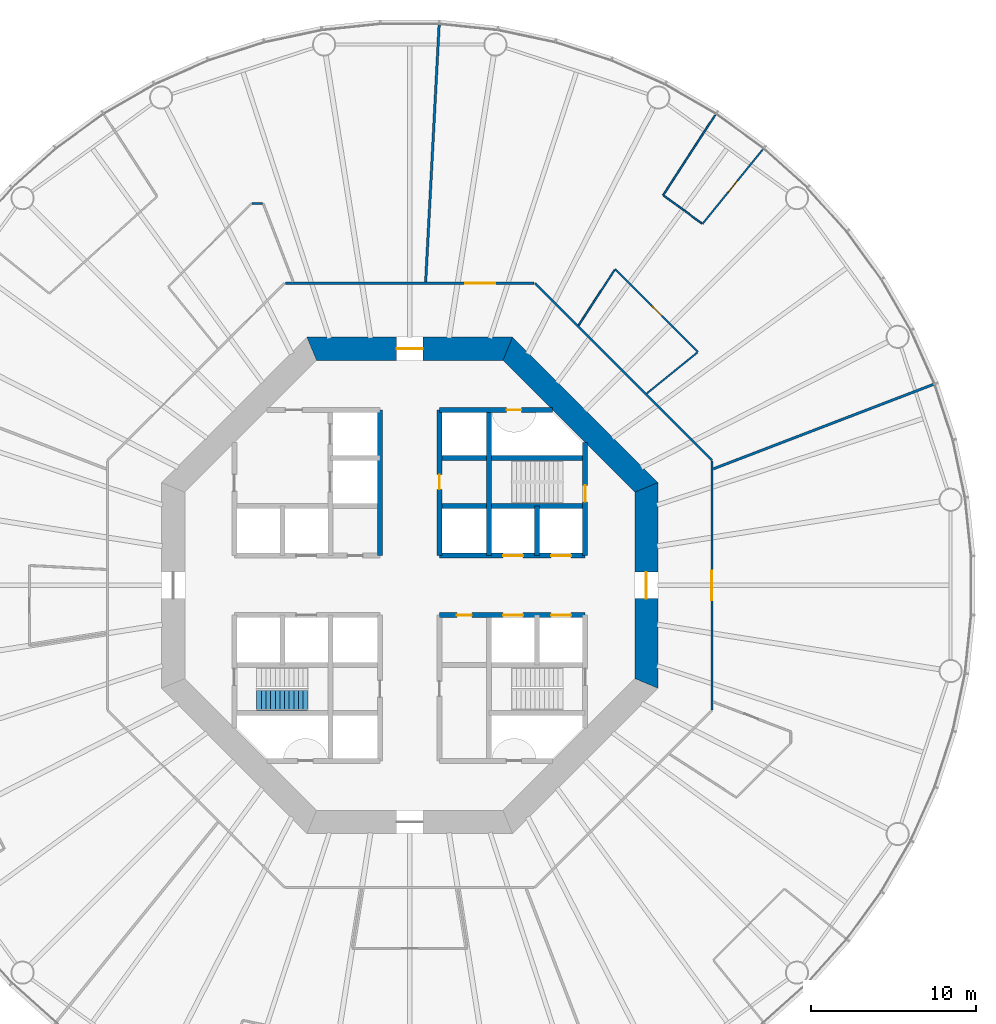
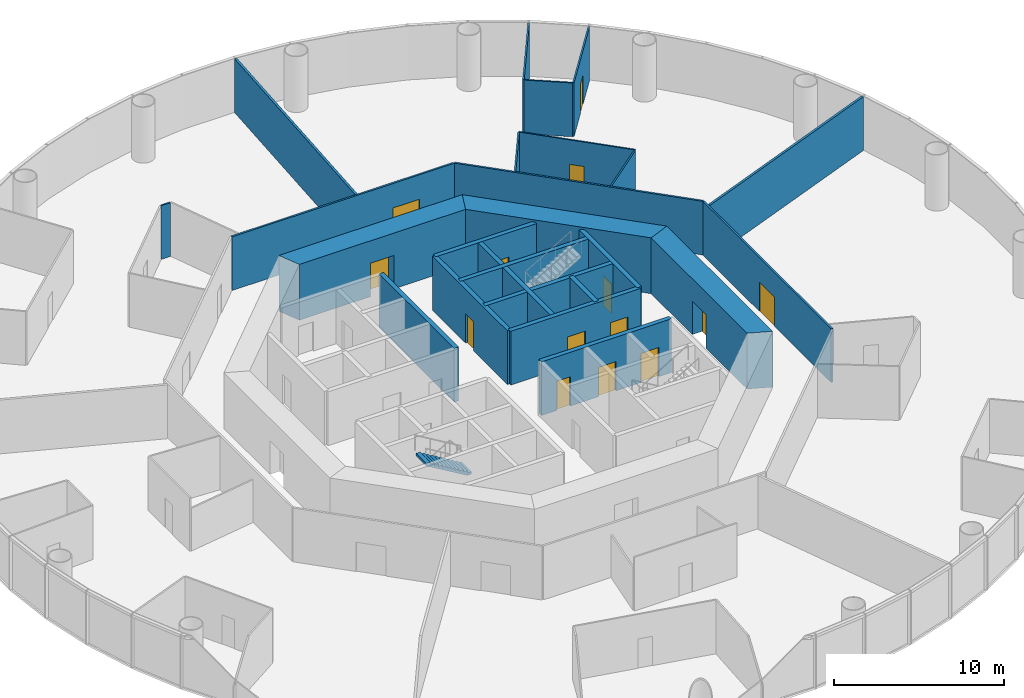
# One storey, part 5 of 13: 25 walls, 14 doors, 1 stair flight, 14 openings, 1 element without a shape of its own.
"""IFC4 building model written with IfcOpenShell, lengths in metres."""

from ifc_helpers import new_model, si_unit, direction, frame, frame_2d, origin, place, context, subcontext, project, spatial, polyline, rectangle, outline, extrude, material, layer, layer_set, type_object, element, fill, aggregate, save


model = new_model("IFC4")

# Units and contexts
model_context = context("Model", 3, precision=1e-05, world=origin(), true_north=direction((0.0, 1.0)))
body_context = subcontext(model_context, "Body", "Model", "MODEL_VIEW")
ifc_project = project(units=[si_unit("LENGTHUNIT", "METRE"), si_unit("AREAUNIT", "SQUARE_METRE"), si_unit("VOLUMEUNIT", "CUBIC_METRE"), si_unit("PLANEANGLEUNIT", "RADIAN"), si_unit("MASSUNIT", "GRAM", prefix="KILO")], contexts=[model_context])

# Site, building, storey
site_placement = place(None, origin())
site = spatial("IfcSite", under=ifc_project, at=site_placement, CompositionType="ELEMENT")
building_placement = place(site_placement, origin())
building = spatial("IfcBuilding", under=site, at=building_placement, Name="Entoto Ring Tower", CompositionType="ELEMENT")
storey_placement = place(building_placement, frame((0.0, 0.0, 58.0)))
storey = spatial("IfcBuildingStorey", under=building, at=storey_placement, Name="L12", CompositionType="ELEMENT", Elevation=58.0)

# Wall, opening, door
ifc_material_1 = material(Name="Concrete C40/50", Category="concrete")
ifc_layer_1 = layer(ifc_material_1, 0.300048828125)
ifc_layer_set_1 = layer_set([ifc_layer_1], Name="Concrete C40/50")
wall_type_1 = type_object("IfcWallType", Name="Core enclosure wall 300 mm reinforced concrete", PredefinedType="SOLIDWALL", material=ifc_layer_set_1)
wall_1_placement = place(storey_placement, frame((100.60009765625, 81.800048828125, 0.0), z_axis=(0.0, 0.0, 1.0), x_axis=(0.0, 1.0, 0.0)))
wall_1 = element("IfcWall", 1, at=wall_1_placement, inside=storey, type_object=wall_type_1, Name="wall-L12-002", PredefinedType="SOLIDWALL", context=body_context, shape_type="SweptSolid", body=[
    extrude(rectangle(XDim=6.833251953125, YDim=0.300048828125, at=frame_2d((3.41650390625, 0.0))), origin(), (0.0, 0.0, 1.0), 3.85009765625),
])
opening_1_placement = place(wall_1_placement, frame((3.25, 0.0, 0.0)))
opening_1 = element("IfcOpeningElement", 2, at=opening_1_placement, cuts=wall_1, Name="Opening K-55", PredefinedType="OPENING", context=body_context, shape_type="SweptSolid", body=[
    extrude(rectangle(XDim=1.0, YDim=2.10009765625, at=frame_2d((0.5, 1.050048828125))), frame((0.0, 0.16015625, 0.0), z_axis=(0.0, -1.0, 0.0), x_axis=(1.0, 0.0, 0.0)), (0.0, 0.0, 1.0), 0.320068359375),
])
ifc_material_2 = material(Name="Steel door leaf, fire rated", Category="steel")
ifc_layer_2 = layer(ifc_material_2, 0.050048828125)
ifc_layer_set_2 = layer_set([ifc_layer_2], Name="Steel door leaf, fire rated")
door_type_1 = type_object("IfcDoorType", Name="Fire door FD60 1000 x 2100 single leaf", OperationType="NOTDEFINED", PredefinedType="DOOR", material=ifc_layer_set_2)
door_1_placement = place(opening_1_placement, origin())
door_1 = element("IfcDoor", 3, at=door_1_placement, inside=storey, type_object=door_type_1, Name="Door K-55", OperationType="SINGLE_SWING_LEFT", OverallHeight=2.10009765625, OverallWidth=1.0, PredefinedType="DOOR", context=body_context, shape_type="SweptSolid", body=[
    extrude(rectangle(XDim=1.0, YDim=2.10009765625, at=frame_2d((0.5, 1.050048828125))), frame((0.0, 0.02490234375, 0.0), z_axis=(0.0, -1.0, 0.0), x_axis=(1.0, 0.0, 0.0)), (0.0, 0.0, 1.0), 0.050048828125),
])
fill(opening_1, door_1)

# Walls
wall_2_placement = place(storey_placement, frame((97.699951171875, 81.800048828125, 0.0), z_axis=(0.0, 0.0, 1.0), x_axis=(0.0, 1.0, 0.0)))
element("IfcWall", 4, at=wall_2_placement, inside=storey, type_object=wall_type_1, Name="wall-L12-004", PredefinedType="SOLIDWALL", context=body_context, shape_type="SweptSolid", body=[
    extrude(rectangle(XDim=3.0, YDim=0.300048828125, at=frame_2d((1.5, 0.0))), origin(), (0.0, 0.0, 1.0), 3.85009765625),
])
wall_3_placement = place(storey_placement, frame((94.800048828125, 81.800048828125, 0.0), z_axis=(0.0, 0.0, 1.0), x_axis=(0.0, 1.0, 0.0)))
element("IfcWall", 5, at=wall_3_placement, inside=storey, type_object=wall_type_1, Name="wall-L12-006", PredefinedType="SOLIDWALL", context=body_context, shape_type="SweptSolid", body=[
    extrude(rectangle(XDim=8.800048828125, YDim=0.300048828125, at=frame_2d((4.39990234375, 0.0))), origin(), (0.0, 0.0, 1.0), 3.85009765625),
])

# Wall, opening, door
wall_4_placement = place(storey_placement, frame((91.800048828125, 81.800048828125, 0.0), z_axis=(0.0, 0.0, 1.0), x_axis=(0.0, 1.0, 0.0)))
wall_4 = element("IfcWall", 6, at=wall_4_placement, inside=storey, type_object=wall_type_1, Name="wall-L12-008", PredefinedType="SOLIDWALL", context=body_context, shape_type="SweptSolid", body=[
    extrude(rectangle(XDim=8.800048828125, YDim=0.300048828125, at=frame_2d((4.39990234375, 0.0))), origin(), (0.0, 0.0, 1.0), 3.85009765625),
])
opening_2_placement = place(wall_4_placement, frame((4.0, 0.0, 0.0)))
opening_2 = element("IfcOpeningElement", 7, at=opening_2_placement, cuts=wall_4, Name="Opening K-11", PredefinedType="OPENING", context=body_context, shape_type="SweptSolid", body=[
    extrude(rectangle(XDim=0.89990234375, YDim=2.10009765625, at=frame_2d((0.449951171875, 1.050048828125))), frame((0.0, 0.16015625, 0.0), z_axis=(0.0, -1.0, 0.0), x_axis=(1.0, 0.0, 0.0)), (0.0, 0.0, 1.0), 0.320068359375),
])
ifc_material_3 = material(Name="Steel door leaf, fire rated", Category="steel")
ifc_layer_3 = layer(ifc_material_3, 0.050048828125)
ifc_layer_set_3 = layer_set([ifc_layer_3], Name="Steel door leaf, fire rated")
door_type_2 = type_object("IfcDoorType", Name="Core door 900 x 2100 single leaf", OperationType="NOTDEFINED", PredefinedType="DOOR", material=ifc_layer_set_3)
door_2_placement = place(opening_2_placement, origin())
door_2 = element("IfcDoor", 8, at=door_2_placement, inside=storey, type_object=door_type_2, Name="Door K-11", OperationType="SINGLE_SWING_RIGHT", OverallHeight=2.10009765625, OverallWidth=0.89990234375, PredefinedType="DOOR", context=body_context, shape_type="SweptSolid", body=[
    extrude(rectangle(XDim=0.89990234375, YDim=2.10009765625, at=frame_2d((0.449951171875, 1.050048828125))), frame((0.0, 0.02490234375, 0.0), z_axis=(0.0, -1.0, 0.0), x_axis=(1.0, 0.0, 0.0)), (0.0, 0.0, 1.0), 0.050048828125),
])
fill(opening_2, door_2)

# Wall
wall_5_placement = place(storey_placement, frame((88.199951171875, 81.800048828125, 0.0), z_axis=(0.0, 0.0, 1.0), x_axis=(0.0, 1.0, 0.0)))
element("IfcWall", 9, at=wall_5_placement, inside=storey, type_object=wall_type_1, Name="wall-L12-010", PredefinedType="SOLIDWALL", context=body_context, shape_type="SweptSolid", body=[
    extrude(rectangle(XDim=8.800048828125, YDim=0.300048828125, at=frame_2d((4.39990234375, 0.0))), origin(), (0.0, 0.0, 1.0), 3.85009765625),
])

# Wall, openings, doors
wall_6_placement = place(storey_placement, frame((91.800048828125, 78.199951171875, 0.0), z_axis=(0.0, 0.0, 1.0), x_axis=(1.0, 0.0, 0.0)))
wall_6 = element("IfcWall", 10, at=wall_6_placement, inside=storey, type_object=wall_type_1, Name="wall-L12-024", PredefinedType="SOLIDWALL", context=body_context, shape_type="SweptSolid", body=[
    extrude(rectangle(XDim=8.800048828125, YDim=0.300048828125, at=frame_2d((4.39990234375, 0.0))), origin(), (0.0, 0.0, 1.0), 3.85009765625),
])
opening_3_placement = place(wall_6_placement, frame((3.85009765625, 0.0, 0.0)))
opening_3 = element("IfcOpeningElement", 11, at=opening_3_placement, cuts=wall_6, Name="Opening LD", PredefinedType="OPENING", context=body_context, shape_type="SweptSolid", body=[
    extrude(rectangle(XDim=1.199951171875, YDim=2.10009765625, at=frame_2d((0.60009765625, 1.050048828125))), frame((0.0, 0.16015625, 0.0), z_axis=(0.0, -1.0, 0.0), x_axis=(1.0, 0.0, 0.0)), (0.0, 0.0, 1.0), 0.320068359375),
])
opening_4_placement = place(wall_6_placement, frame((6.75, 0.0, 0.0)))
opening_4 = element("IfcOpeningElement", 12, at=opening_4_placement, cuts=wall_6, Name="Opening LD", PredefinedType="OPENING", context=body_context, shape_type="SweptSolid", body=[
    extrude(rectangle(XDim=1.199951171875, YDim=2.10009765625, at=frame_2d((0.60009765625, 1.050048828125))), frame((0.0, 0.16015625, 0.0), z_axis=(0.0, -1.0, 0.0), x_axis=(1.0, 0.0, 0.0)), (0.0, 0.0, 1.0), 0.320068359375),
])
opening_5_placement = place(wall_6_placement, frame((1.050048828125, 0.0, 0.0)))
opening_5 = element("IfcOpeningElement", 13, at=opening_5_placement, cuts=wall_6, Name="Opening K-15", PredefinedType="OPENING", context=body_context, shape_type="SweptSolid", body=[
    extrude(rectangle(XDim=0.89990234375, YDim=2.10009765625, at=frame_2d((0.449951171875, 1.050048828125))), frame((0.0, 0.16015625, 0.0), z_axis=(0.0, -1.0, 0.0), x_axis=(1.0, 0.0, 0.0)), (0.0, 0.0, 1.0), 0.320068359375),
])
door_3_placement = place(opening_5_placement, frame((0.89990234375, 0.0, 0.0), z_axis=(0.0, 0.0, 1.0), x_axis=(-1.0, 0.0, 0.0)))
door_3 = element("IfcDoor", 14, at=door_3_placement, inside=storey, type_object=door_type_2, Name="Door K-15", OperationType="SINGLE_SWING_RIGHT", OverallHeight=2.10009765625, OverallWidth=0.89990234375, PredefinedType="DOOR", context=body_context, shape_type="SweptSolid", body=[
    extrude(rectangle(XDim=0.89990234375, YDim=2.10009765625, at=frame_2d((0.449951171875, 1.050048828125))), frame((0.0, 0.02490234375, 0.0), z_axis=(0.0, -1.0, 0.0), x_axis=(1.0, 0.0, 0.0)), (0.0, 0.0, 1.0), 0.050048828125),
])
fill(opening_5, door_3)
ifc_material_4 = material(Name="Steel and glass door leaf", Category="steel")
ifc_layer_4 = layer(ifc_material_4, 0.050048828125)
ifc_layer_set_4 = layer_set([ifc_layer_4], Name="Steel and glass door leaf")
door_type_3 = type_object("IfcDoorType", Name="Landing door 1200 x 2100 sliding", OperationType="DOUBLE_DOOR_SLIDING", PredefinedType="DOOR", material=ifc_layer_set_4)
door_4_placement = place(opening_3_placement, origin())
door_4 = element("IfcDoor", 15, at=door_4_placement, inside=storey, type_object=door_type_3, Name="Landing door LB4-LR", OperationType="SLIDING_TO_RIGHT", OverallHeight=2.10009765625, OverallWidth=1.199951171875, PredefinedType="DOOR", context=body_context, shape_type="SweptSolid", body=[
    extrude(rectangle(XDim=1.199951171875, YDim=2.10009765625, at=frame_2d((0.60009765625, 1.050048828125))), frame((0.0, 0.02490234375, 0.0), z_axis=(0.0, -1.0, 0.0), x_axis=(1.0, 0.0, 0.0)), (0.0, 0.0, 1.0), 0.050048828125),
])
fill(opening_3, door_4)
door_5_placement = place(opening_4_placement, origin())
door_5 = element("IfcDoor", 16, at=door_5_placement, inside=storey, type_object=door_type_3, Name="Landing door LB5-LR", OperationType="SLIDING_TO_RIGHT", OverallHeight=2.10009765625, OverallWidth=1.199951171875, PredefinedType="DOOR", context=body_context, shape_type="SweptSolid", body=[
    extrude(rectangle(XDim=1.199951171875, YDim=2.10009765625, at=frame_2d((0.60009765625, 1.050048828125))), frame((0.0, 0.02490234375, 0.0), z_axis=(0.0, -1.0, 0.0), x_axis=(1.0, 0.0, 0.0)), (0.0, 0.0, 1.0), 0.050048828125),
])
fill(opening_4, door_5)

wall_7_placement = place(storey_placement, frame((91.800048828125, 81.800048828125, 0.0), z_axis=(0.0, 0.0, 1.0), x_axis=(1.0, 0.0, 0.0)))
wall_7 = element("IfcWall", 17, at=wall_7_placement, inside=storey, type_object=wall_type_1, Name="wall-L12-026", PredefinedType="SOLIDWALL", context=body_context, shape_type="SweptSolid", body=[
    extrude(rectangle(XDim=8.800048828125, YDim=0.300048828125, at=frame_2d((4.39990234375, 0.0))), origin(), (0.0, 0.0, 1.0), 3.85009765625),
])
opening_6_placement = place(wall_7_placement, frame((3.85009765625, 0.0, 0.0)))
opening_6 = element("IfcOpeningElement", 18, at=opening_6_placement, cuts=wall_7, Name="Opening LD", PredefinedType="OPENING", context=body_context, shape_type="SweptSolid", body=[
    extrude(rectangle(XDim=1.199951171875, YDim=2.10009765625, at=frame_2d((0.60009765625, 1.050048828125))), frame((0.0, 0.16015625, 0.0), z_axis=(0.0, -1.0, 0.0), x_axis=(1.0, 0.0, 0.0)), (0.0, 0.0, 1.0), 0.320068359375),
])
opening_7_placement = place(wall_7_placement, frame((6.75, 0.0, 0.0)))
opening_7 = element("IfcOpeningElement", 19, at=opening_7_placement, cuts=wall_7, Name="Opening LD", PredefinedType="OPENING", context=body_context, shape_type="SweptSolid", body=[
    extrude(rectangle(XDim=1.199951171875, YDim=2.10009765625, at=frame_2d((0.60009765625, 1.050048828125))), frame((0.0, 0.16015625, 0.0), z_axis=(0.0, -1.0, 0.0), x_axis=(1.0, 0.0, 0.0)), (0.0, 0.0, 1.0), 0.320068359375),
])
door_6_placement = place(opening_6_placement, origin())
door_6 = element("IfcDoor", 20, at=door_6_placement, inside=storey, type_object=door_type_3, Name="Landing door LB1-LR", OperationType="SLIDING_TO_RIGHT", OverallHeight=2.10009765625, OverallWidth=1.199951171875, PredefinedType="DOOR", context=body_context, shape_type="SweptSolid", body=[
    extrude(rectangle(XDim=1.199951171875, YDim=2.10009765625, at=frame_2d((0.60009765625, 1.050048828125))), frame((0.0, 0.02490234375, 0.0), z_axis=(0.0, -1.0, 0.0), x_axis=(1.0, 0.0, 0.0)), (0.0, 0.0, 1.0), 0.050048828125),
])
fill(opening_6, door_6)
door_7_placement = place(opening_7_placement, origin())
door_7 = element("IfcDoor", 21, at=door_7_placement, inside=storey, type_object=door_type_3, Name="Landing door LB2-LR", OperationType="SLIDING_TO_RIGHT", OverallHeight=2.10009765625, OverallWidth=1.199951171875, PredefinedType="DOOR", context=body_context, shape_type="SweptSolid", body=[
    extrude(rectangle(XDim=1.199951171875, YDim=2.10009765625, at=frame_2d((0.60009765625, 1.050048828125))), frame((0.0, 0.02490234375, 0.0), z_axis=(0.0, -1.0, 0.0), x_axis=(1.0, 0.0, 0.0)), (0.0, 0.0, 1.0), 0.050048828125),
])
fill(opening_7, door_7)

# Walls
for number, where, z_axis, x_axis, name in (
    (22, (91.800048828125, 84.800048828125, 0.0), (0.0, 0.0, 1.0), (1.0, 0.0, 0.0), "wall-L12-028"),
    (23, (91.800048828125, 87.699951171875, 0.0), (0.0, 0.0, 1.0), (1.0, 0.0, 0.0), "wall-L12-030"),
):
    element("IfcWall", number, at=place(storey_placement, frame(where, z_axis=z_axis, x_axis=x_axis)), inside=storey, type_object=wall_type_1, Name=name, PredefinedType="SOLIDWALL", context=body_context, shape_type="SweptSolid", body=[
        extrude(rectangle(XDim=8.800048828125, YDim=0.300048828125, at=frame_2d((4.39990234375, 0.0))), origin(), (0.0, 0.0, 1.0), 3.85009765625),
    ])

# Wall, opening, door
wall_8_placement = place(storey_placement, frame((91.800048828125, 90.60009765625, 0.0), z_axis=(0.0, 0.0, 1.0), x_axis=(1.0, 0.0, 0.0)))
wall_8 = element("IfcWall", 24, at=wall_8_placement, inside=storey, type_object=wall_type_1, Name="wall-L12-032", PredefinedType="SOLIDWALL", context=body_context, shape_type="SweptSolid", body=[
    extrude(rectangle(XDim=6.833251953125, YDim=0.300048828125, at=frame_2d((3.41650390625, 0.0))), origin(), (0.0, 0.0, 1.0), 3.85009765625),
])
opening_8_placement = place(wall_8_placement, frame((4.050048828125, 0.0, 0.0)))
opening_8 = element("IfcOpeningElement", 25, at=opening_8_placement, cuts=wall_8, Name="Opening K-62", PredefinedType="OPENING", context=body_context, shape_type="SweptSolid", body=[
    extrude(rectangle(XDim=0.89990234375, YDim=2.10009765625, at=frame_2d((0.449951171875, 1.050048828125))), frame((0.0, 0.16015625, 0.0), z_axis=(0.0, -1.0, 0.0), x_axis=(1.0, 0.0, 0.0)), (0.0, 0.0, 1.0), 0.320068359375),
])
ifc_material_5 = material(Name="Steel door leaf, fire rated", Category="steel")
ifc_layer_5 = layer(ifc_material_5, 0.050048828125)
ifc_layer_set_5 = layer_set([ifc_layer_5], Name="Steel door leaf, fire rated")
door_type_4 = type_object("IfcDoorType", Name="Riser door FD60 900 x 2100 single leaf", OperationType="NOTDEFINED", PredefinedType="DOOR", material=ifc_layer_set_5)
door_8_placement = place(opening_8_placement, frame((0.89990234375, 0.0, 0.0), z_axis=(0.0, 0.0, 1.0), x_axis=(-1.0, 0.0, 0.0)))
door_8 = element("IfcDoor", 26, at=door_8_placement, inside=storey, type_object=door_type_4, Name="Door K-62", OperationType="SINGLE_SWING_LEFT", OverallHeight=2.10009765625, OverallWidth=0.89990234375, PredefinedType="DOOR", context=body_context, shape_type="SweptSolid", body=[
    extrude(rectangle(XDim=0.89990234375, YDim=2.10009765625, at=frame_2d((0.449951171875, 1.050048828125))), frame((0.0, 0.02490234375, 0.0), z_axis=(0.0, -1.0, 0.0), x_axis=(1.0, 0.0, 0.0)), (0.0, 0.0, 1.0), 0.050048828125),
])
fill(opening_8, door_8)

ifc_material_6 = material(Name="Concrete C60/75", Category="concrete")
ifc_layer_6 = layer(ifc_material_6, 1.39990234375)
ifc_layer_set_6 = layer_set([ifc_layer_6], Name="Concrete C60/75")
wall_type_2 = type_object("IfcWallType", Name="Core shear wall 1400 mm reinforced concrete C60/75", PredefinedType="SHEAR", material=ifc_layer_set_6)
wall_9_placement = place(storey_placement, frame((104.300048828125, 74.07666015625, 0.0), z_axis=(0.0, 0.0, 1.0), x_axis=(0.0, 1.0, 0.0)))
wall_9 = element("IfcWall", 27, at=wall_9_placement, inside=storey, type_object=wall_type_2, Name="wall-L12-core-0", PredefinedType="SHEAR", context=body_context, shape_type="SweptSolid", body=[
    extrude(outline(polyline([(-0.2900390625, -0.699951171875), (12.13671875, -0.699951171875), (11.556640625, 0.699951171875), (0.2900390625, 0.699951171875), (-0.2900390625, -0.699951171875)])), origin(), (0.0, 0.0, 1.0), 4.0),
])
opening_9_placement = place(wall_9_placement, frame((5.123291015625, 0.0, 0.0)))
opening_9 = element("IfcOpeningElement", 28, at=opening_9_placement, cuts=wall_9, Name="Opening K-01", PredefinedType="OPENING", context=body_context, shape_type="SweptSolid", body=[
    extrude(rectangle(XDim=1.60009765625, YDim=2.39990234375, at=frame_2d((0.800048828125, 1.199951171875))), frame((0.0, 0.7099609375, 0.0), z_axis=(0.0, -1.0, 0.0), x_axis=(1.0, 0.0, 0.0)), (0.0, 0.0, 1.0), 1.419921875),
])
ifc_material_7 = material(Name="Steel door leaf, fire rated", Category="steel")
ifc_layer_7 = layer(ifc_material_7, 0.050048828125)
ifc_layer_set_7 = layer_set([ifc_layer_7], Name="Steel door leaf, fire rated")
door_type_5 = type_object("IfcDoorType", Name="Entrance door FD60 1600 x 2400 double leaf", OperationType="DOUBLE_DOOR_SINGLE_SWING", PredefinedType="DOOR", material=ifc_layer_set_7)
door_9_placement = place(opening_9_placement, origin())
door_9 = element("IfcDoor", 29, at=door_9_placement, inside=storey, type_object=door_type_5, Name="Entrance door K-01", OperationType="DOUBLE_DOOR_SINGLE_SWING", OverallHeight=2.39990234375, OverallWidth=1.60009765625, PredefinedType="DOOR", context=body_context, shape_type="SweptSolid", body=[
    extrude(rectangle(XDim=1.60009765625, YDim=2.39990234375, at=frame_2d((0.800048828125, 1.199951171875))), frame((0.0, 0.02490234375, 0.0), z_axis=(0.0, -1.0, 0.0), x_axis=(1.0, 0.0, 0.0)), (0.0, 0.0, 1.0), 0.050048828125),
])
fill(opening_9, door_9)

# Wall
wall_10_placement = place(storey_placement, frame((104.300048828125, 85.92333984375, 0.0), z_axis=(0.0, 0.0, 1.0), x_axis=(-0.707106781187, 0.707106781187, 0.0)))
element("IfcWall", 30, at=wall_10_placement, inside=storey, type_object=wall_type_2, Name="wall-L12-core-1", PredefinedType="SHEAR", context=body_context, shape_type="SweptSolid", body=[
    extrude(outline(polyline([(-0.2900390625, -0.699951171875), (12.136474609375, -0.699951171875), (11.556396484375, 0.699951171875), (0.2900390625, 0.699951171875), (-0.2900390625, -0.699951171875)])), origin(), (0.0, 0.0, 1.0), 4.0),
])

# Wall, opening, door
wall_11_placement = place(storey_placement, frame((95.92333984375, 94.300048828125, 0.0), z_axis=(0.0, 0.0, 1.0), x_axis=(-1.0, 0.0, 0.0)))
wall_11 = element("IfcWall", 31, at=wall_11_placement, inside=storey, type_object=wall_type_2, Name="wall-L12-core-2", PredefinedType="SHEAR", context=body_context, shape_type="SweptSolid", body=[
    extrude(outline(polyline([(-0.2900390625, -0.699951171875), (12.13671875, -0.699951171875), (11.556640625, 0.699951171875), (0.2900390625, 0.699951171875), (-0.2900390625, -0.699951171875)])), origin(), (0.0, 0.0, 1.0), 4.0),
])
opening_10_placement = place(wall_11_placement, frame((5.123291015625, 0.0, 0.0)))
opening_10 = element("IfcOpeningElement", 32, at=opening_10_placement, cuts=wall_11, Name="Opening K-02", PredefinedType="OPENING", context=body_context, shape_type="SweptSolid", body=[
    extrude(rectangle(XDim=1.60009765625, YDim=2.39990234375, at=frame_2d((0.800048828125, 1.199951171875))), frame((0.0, 0.7099609375, 0.0), z_axis=(0.0, -1.0, 0.0), x_axis=(1.0, 0.0, 0.0)), (0.0, 0.0, 1.0), 1.419921875),
])
door_10_placement = place(opening_10_placement, origin())
door_10 = element("IfcDoor", 33, at=door_10_placement, inside=storey, type_object=door_type_5, Name="Entrance door K-02", OperationType="DOUBLE_DOOR_SINGLE_SWING", OverallHeight=2.39990234375, OverallWidth=1.60009765625, PredefinedType="DOOR", context=body_context, shape_type="SweptSolid", body=[
    extrude(rectangle(XDim=1.60009765625, YDim=2.39990234375, at=frame_2d((0.800048828125, 1.199951171875))), frame((0.0, 0.02490234375, 0.0), z_axis=(0.0, -1.0, 0.0), x_axis=(1.0, 0.0, 0.0)), (0.0, 0.0, 1.0), 0.050048828125),
])
fill(opening_10, door_10)

# Wall
ifc_material_8 = material(Name="Fire-resisting plasterboard on steel studs", Category="steel")
ifc_layer_8 = layer(ifc_material_8, 0.125)
ifc_layer_set_8 = layer_set([ifc_layer_8], Name="Fire-resisting plasterboard on steel studs")
wall_type_3 = type_object("IfcWallType", Name="Corridor wall 125 mm one-hour plasterboard on steel studs", PredefinedType="PARTITIONING", material=ifc_layer_set_8)
wall_12_placement = place(storey_placement, frame((108.262451171875, 87.564697265625, 0.0), z_axis=(0.0, 0.0, 1.0), x_axis=(-0.707106781187, 0.707106781187, 0.0)))
element("IfcWall", 34, at=wall_12_placement, inside=storey, type_object=wall_type_3, Name="partition-L12-004", PredefinedType="PARTITIONING", context=body_context, shape_type="SweptSolid", body=[
    extrude(rectangle(XDim=15.12890625, YDim=0.125, at=frame_2d((7.564453125, 0.0))), origin(), (0.0, 0.0, 1.0), 3.85009765625),
])

# Wall, opening, door
wall_13_placement = place(storey_placement, frame((82.4794921875, 98.262451171875, 0.0), z_axis=(0.0, 0.0, 1.0), x_axis=(1.0, 0.0, 0.0)))
wall_13 = element("IfcWall", 35, at=wall_13_placement, inside=storey, type_object=wall_type_3, Name="partition-L12-007", PredefinedType="PARTITIONING", context=body_context, shape_type="SweptSolid", body=[
    extrude(rectangle(XDim=15.041015625, YDim=0.125, at=frame_2d((7.5205078125, 0.0))), origin(), (0.0, 0.0, 1.0), 3.85009765625),
])
opening_11_placement = place(wall_13_placement, frame((10.88134765625, 0.0, 0.0)))
opening_11 = element("IfcOpeningElement", 36, at=opening_11_placement, cuts=wall_13, Name="Opening A05-D11", PredefinedType="OPENING", context=body_context, shape_type="SweptSolid", body=[
    extrude(rectangle(XDim=1.800048828125, YDim=2.10009765625, at=frame_2d((0.89990234375, 1.050048828125))), frame((0.0, 0.072509765625, 0.0), z_axis=(0.0, -1.0, 0.0), x_axis=(1.0, 0.0, 0.0)), (0.0, 0.0, 1.0), 0.14501953125),
])
ifc_material_9 = material(Name="Fire-resisting timber door set", Category="wood")
door_type_6 = type_object("IfcDoorType", Name="Door 1800 x 2100 double leaf FD30S fire door", OperationType="DOUBLE_DOOR_SINGLE_SWING", PredefinedType="DOOR", material=ifc_material_9)
door_11_placement = place(opening_11_placement, origin())
door_11 = element("IfcDoor", 37, at=door_11_placement, inside=storey, type_object=door_type_6, Name="Door A05-D11", OperationType="DOUBLE_DOOR_SINGLE_SWING", OverallHeight=2.10009765625, OverallWidth=1.800048828125, PredefinedType="DOOR", context=body_context, shape_type="SweptSolid", body=[
    extrude(rectangle(XDim=1.800048828125, YDim=2.10009765625, at=frame_2d((0.89990234375, 1.050048828125))), frame((0.0, 0.02490234375, 0.0), z_axis=(0.0, -1.0, 0.0), x_axis=(1.0, 0.0, 0.0)), (0.0, 0.0, 1.0), 0.050048828125),
])
fill(opening_11, door_11)

wall_14_placement = place(storey_placement, frame((108.262451171875, 72.4794921875, 0.0), z_axis=(0.0, 0.0, 1.0), x_axis=(0.0, 1.0, 0.0)))
wall_14 = element("IfcWall", 38, at=wall_14_placement, inside=storey, type_object=wall_type_3, Name="partition-L12-008", PredefinedType="PARTITIONING", context=body_context, shape_type="SweptSolid", body=[
    extrude(rectangle(XDim=15.041015625, YDim=0.125, at=frame_2d((7.5205078125, 0.0))), origin(), (0.0, 0.0, 1.0), 3.85009765625),
])
opening_12_placement = place(wall_14_placement, frame((6.62060546875, 0.0, 0.0)))
opening_12 = element("IfcOpeningElement", 39, at=opening_12_placement, cuts=wall_14, Name="Opening A05-D08", PredefinedType="OPENING", context=body_context, shape_type="SweptSolid", body=[
    extrude(rectangle(XDim=1.800048828125, YDim=2.10009765625, at=frame_2d((0.89990234375, 1.050048828125))), frame((0.0, 0.072509765625, 0.0), z_axis=(0.0, -1.0, 0.0), x_axis=(1.0, 0.0, 0.0)), (0.0, 0.0, 1.0), 0.14501953125),
])
door_12_placement = place(opening_12_placement, origin())
door_12 = element("IfcDoor", 40, at=door_12_placement, inside=storey, type_object=door_type_6, Name="Door A05-D08", OperationType="DOUBLE_DOOR_SINGLE_SWING", OverallHeight=2.10009765625, OverallWidth=1.800048828125, PredefinedType="DOOR", context=body_context, shape_type="SweptSolid", body=[
    extrude(rectangle(XDim=1.800048828125, YDim=2.10009765625, at=frame_2d((0.89990234375, 1.050048828125))), frame((0.0, 0.02490234375, 0.0), z_axis=(0.0, -1.0, 0.0), x_axis=(1.0, 0.0, 0.0)), (0.0, 0.0, 1.0), 0.050048828125),
])
fill(opening_12, door_12)

ifc_material_10 = material(Name="Plasterboard on steel studs", Category="steel")
ifc_layer_9 = layer(ifc_material_10, 0.10009765625)
ifc_layer_set_9 = layer_set([ifc_layer_9], Name="Plasterboard on steel studs")
wall_type_4 = type_object("IfcWallType", Name="Partition 100 mm plasterboard on steel studs", PredefinedType="PARTITIONING", material=ifc_layer_set_9)
wall_15_placement = place(storey_placement, frame((107.419921875, 94.1064453125, 0.0), z_axis=(0.0, 0.0, 1.0), x_axis=(-0.707106781187, 0.707106781187, 0.0)))
wall_15 = element("IfcWall", 41, at=wall_15_placement, inside=storey, type_object=wall_type_4, Name="partition-L12-017", PredefinedType="PARTITIONING", context=body_context, shape_type="SweptSolid", body=[
    extrude(rectangle(XDim=7.08154296875, YDim=0.10009765625, at=frame_2d((3.540771484375, 0.0))), origin(), (0.0, 0.0, 1.0), 3.85009765625),
])
opening_13_placement = place(wall_15_placement, frame((3.0908203125, 0.0, 0.0)))
opening_13 = element("IfcOpeningElement", 42, at=opening_13_placement, cuts=wall_15, Name="Opening A05-D12", PredefinedType="OPENING", context=body_context, shape_type="SweptSolid", body=[
    extrude(rectangle(XDim=0.89990234375, YDim=2.10009765625, at=frame_2d((0.449951171875, 1.050048828125))), frame((0.0, 0.06005859375, 0.0), z_axis=(0.0, -1.0, 0.0), x_axis=(1.0, 0.0, 0.0)), (0.0, 0.0, 1.0), 0.1201171875),
])
ifc_material_11 = material(Name="Veneered timber door leaf in timber frame", Category="wood")
door_type_7 = type_object("IfcDoorType", Name="Door 900 x 2100 single leaf timber veneer", OperationType="NOTDEFINED", PredefinedType="DOOR", material=ifc_material_11)
door_13_placement = place(opening_13_placement, origin())
door_13 = element("IfcDoor", 43, at=door_13_placement, inside=storey, type_object=door_type_7, Name="Door A05-D12", OperationType="SINGLE_SWING_RIGHT", OverallHeight=2.10009765625, OverallWidth=0.89990234375, PredefinedType="DOOR", context=body_context, shape_type="SweptSolid", body=[
    extrude(rectangle(XDim=0.89990234375, YDim=2.10009765625, at=frame_2d((0.449951171875, 1.050048828125))), frame((0.0, 0.02490234375, 0.0), z_axis=(0.0, -1.0, 0.0), x_axis=(1.0, 0.0, 0.0)), (0.0, 0.0, 1.0), 0.050048828125),
])
fill(opening_13, door_13)

wall_16_placement = place(storey_placement, frame((107.696533203125, 101.853271484375, 0.0), z_axis=(0.0, 0.0, 1.0), x_axis=(0.629318896289, 0.777147171888, 0.0)))
wall_16 = element("IfcWall", 44, at=wall_16_placement, inside=storey, type_object=wall_type_4, Name="partition-L12-023", PredefinedType="PARTITIONING", context=body_context, shape_type="SweptSolid", body=[
    extrude(rectangle(XDim=5.81982421875, YDim=0.10009765625, at=frame_2d((2.909912109375, 0.0))), origin(), (0.0, 0.0, 1.0), 3.85009765625),
])
opening_14_placement = place(wall_16_placement, frame((2.4599609375, 0.0, 0.0)))
opening_14 = element("IfcOpeningElement", 45, at=opening_14_placement, cuts=wall_16, Name="Opening A05-D13", PredefinedType="OPENING", context=body_context, shape_type="SweptSolid", body=[
    extrude(rectangle(XDim=0.89990234375, YDim=2.10009765625, at=frame_2d((0.449951171875, 1.050048828125))), frame((0.0, 0.06005859375, 0.0), z_axis=(0.0, -1.0, 0.0), x_axis=(1.0, 0.0, 0.0)), (0.0, 0.0, 1.0), 0.1201171875),
])
door_14_placement = place(opening_14_placement, origin())
door_14 = element("IfcDoor", 46, at=door_14_placement, inside=storey, type_object=door_type_7, Name="Door A05-D13", OperationType="SINGLE_SWING_RIGHT", OverallHeight=2.10009765625, OverallWidth=0.89990234375, PredefinedType="DOOR", context=body_context, shape_type="SweptSolid", body=[
    extrude(rectangle(XDim=0.89990234375, YDim=2.10009765625, at=frame_2d((0.449951171875, 1.050048828125))), frame((0.0, 0.02490234375, 0.0), z_axis=(0.0, -1.0, 0.0), x_axis=(1.0, 0.0, 0.0)), (0.0, 0.0, 1.0), 0.050048828125),
])
fill(opening_14, door_14)

# Walls
wall_17_placement = place(storey_placement, frame((105.315185546875, 103.58349609375, 0.0), z_axis=(0.0, 0.0, 1.0), x_axis=(0.544650659526, 0.838663018785, 0.0)))
element("IfcWall", 47, at=wall_17_placement, inside=storey, type_object=wall_type_4, Name="partition-L12-024", PredefinedType="PARTITIONING", context=body_context, shape_type="SweptSolid", body=[
    extrude(rectangle(XDim=5.820068359375, YDim=0.10009765625, at=frame_2d((2.91015625, 0.0))), origin(), (0.0, 0.0, 1.0), 3.85009765625),
])
wall_18_placement = place(storey_placement, frame((100.209228515625, 95.720703125, 0.0), z_axis=(0.0, 0.0, 1.0), x_axis=(0.544604883043, 0.838692745507, 0.0)))
element("IfcWall", 48, at=wall_18_placement, inside=storey, type_object=wall_type_4, Name="partition-L12-041", PredefinedType="PARTITIONING", context=body_context, shape_type="SweptSolid", body=[
    extrude(rectangle(XDim=3.98388671875, YDim=0.10009765625, at=frame_2d((1.991943359375, 0.0))), origin(), (0.0, 0.0, 1.0), 3.85009765625),
])
wall_19_placement = place(storey_placement, frame((104.32373046875, 91.59912109375, 0.0), z_axis=(0.0, 0.0, 1.0), x_axis=(0.77712618502, 0.629344812131, 0.0)))
element("IfcWall", 49, at=wall_19_placement, inside=storey, type_object=wall_type_4, Name="partition-L12-042", PredefinedType="PARTITIONING", context=body_context, shape_type="SweptSolid", body=[
    extrude(rectangle(XDim=3.928466796875, YDim=0.10009765625, at=frame_2d((1.96435546875, 0.0))), origin(), (0.0, 0.0, 1.0), 3.85009765625),
])
wall_20_placement = place(storey_placement, frame((107.656005859375, 101.8828125, 0.0), z_axis=(0.0, 0.0, 1.0), x_axis=(-0.808995913271, 0.587814266849, 0.0)))
element("IfcWall", 50, at=wall_20_placement, inside=storey, type_object=wall_type_4, Name="partition-L12-046", PredefinedType="PARTITIONING", context=body_context, shape_type="SweptSolid", body=[
    extrude(rectangle(XDim=2.843505859375, YDim=0.10009765625, at=frame_2d((1.421875, 0.0))), origin(), (0.0, 0.0, 1.0), 3.85009765625),
])
wall_21_placement = place(storey_placement, frame((80.47412109375, 103.08251953125, 0.0), z_axis=(0.0, 0.0, 1.0), x_axis=(1.0, 0.0, 0.0)))
element("IfcWall", 51, at=wall_21_placement, inside=storey, type_object=wall_type_4, Name="partition-L12-047", PredefinedType="PARTITIONING", context=body_context, shape_type="SweptSolid", body=[
    extrude(rectangle(XDim=0.618896484375, YDim=0.10009765625, at=frame_2d((0.3095703125, 0.0))), origin(), (0.0, 0.0, 1.0), 3.85009765625),
])
ifc_material_12 = material(Name="Fire-resisting acoustic plasterboard on steel studs", Category="steel")
ifc_layer_10 = layer(ifc_material_12, 0.14990234375)
ifc_layer_set_10 = layer_set([ifc_layer_10], Name="Fire-resisting acoustic plasterboard on steel studs")
wall_type_5 = type_object("IfcWallType", Name="Party wall 150 mm one-hour acoustic plasterboard on steel studs", PredefinedType="PARTITIONING", material=ifc_layer_set_10)
wall_22_placement = place(storey_placement, frame((90.960693359375, 98.328857421875, 0.0), z_axis=(0.0, 0.0, 1.0), x_axis=(0.052333563825, 0.998629660133, 0.0)))
element("IfcWall", 52, at=wall_22_placement, inside=storey, type_object=wall_type_5, Name="partition-L12-009", PredefinedType="PARTITIONING", context=body_context, shape_type="SweptSolid", body=[
    extrude(rectangle(XDim=15.5859375, YDim=0.14990234375, at=frame_2d((7.79296875, 0.0))), origin(), (0.0, 0.0, 1.0), 3.85009765625),
])
wall_23_placement = place(storey_placement, frame((108.351806640625, 87.044677734375, 0.0), z_axis=(0.0, 0.0, 1.0), x_axis=(0.933581102113, 0.358366189501, 0.0)))
element("IfcWall", 53, at=wall_23_placement, inside=storey, type_object=wall_type_5, Name="partition-L12-013", PredefinedType="PARTITIONING", context=body_context, shape_type="SweptSolid", body=[
    extrude(rectangle(XDim=14.28271484375, YDim=0.14990234375, at=frame_2d((7.141357421875, 0.0))), origin(), (0.0, 0.0, 1.0), 3.85009765625),
])

# Stair, stair flight
ifc_material_13 = material(Name="Concrete C40/50", Category="concrete")
stair_type = type_object("IfcStairType", Name="Exit stair 1200 mm dog-leg reinforced concrete", PredefinedType="HALF_TURN_STAIR", material=ifc_material_13)
stair_placement = place(storey_placement, origin())
stair = element("IfcStair", 54, at=stair_placement, inside=storey, type_object=stair_type, Name="Exit stair 2", PredefinedType="HALF_TURN_STAIR")
ifc_material_14 = material(Name="Concrete C40/50", Category="concrete")
stair_flight_type = type_object("IfcStairFlightType", Name="Stair flight 1200 mm reinforced concrete", PredefinedType="STRAIGHT", material=ifc_material_14)
stair_flight_placement = place(storey_placement, frame((83.830078125, 73.050048828125, 2.0), z_axis=(0.0, 0.0, 1.0), x_axis=(-1.0, 0.0, 0.0)))
stair_flight = element("IfcStairFlight", 55, at=stair_flight_placement, type_object=stair_flight_type, Name="ST2 flight 2", NumberOfRisers=12, NumberOfTreads=11, PredefinedType="STRAIGHT", RiserHeight=0.166666667, TreadLength=0.28, context=body_context, shape_type="SweptSolid", body=[
    extrude(outline(polyline([(0.0, 0.0), (0.0, 0.166748046875), (0.280029296875, 0.166748046875), (0.280029296875, 0.333251953125), (0.56005859375, 0.333251953125), (0.56005859375, 0.5), (0.840087890625, 0.5), (0.840087890625, 0.666748046875), (1.1201171875, 0.666748046875), (1.1201171875, 0.833251953125), (1.39990234375, 0.833251953125), (1.39990234375, 1.0), (1.679931640625, 1.0), (1.679931640625, 1.166748046875), (1.9599609375, 1.166748046875), (1.9599609375, 1.333251953125), (2.239990234375, 1.333251953125), (2.239990234375, 1.5), (2.52001953125, 1.5), (2.52001953125, 1.666748046875), (2.800048828125, 1.666748046875), (2.800048828125, 1.833251953125), (3.080078125, 1.833251953125), (3.080078125, 2.0), (3.080078125, 1.658935546875), (0.29296875, 0.0), (0.0, 0.0)])), frame((0.0, 0.60009765625, 0.0), z_axis=(0.0, -1.0, 0.0), x_axis=(1.0, 0.0, 0.0)), (0.0, 0.0, 1.0), 1.199951171875),
])
aggregate(stair, [stair_flight])

save(model, "model.ifc")
